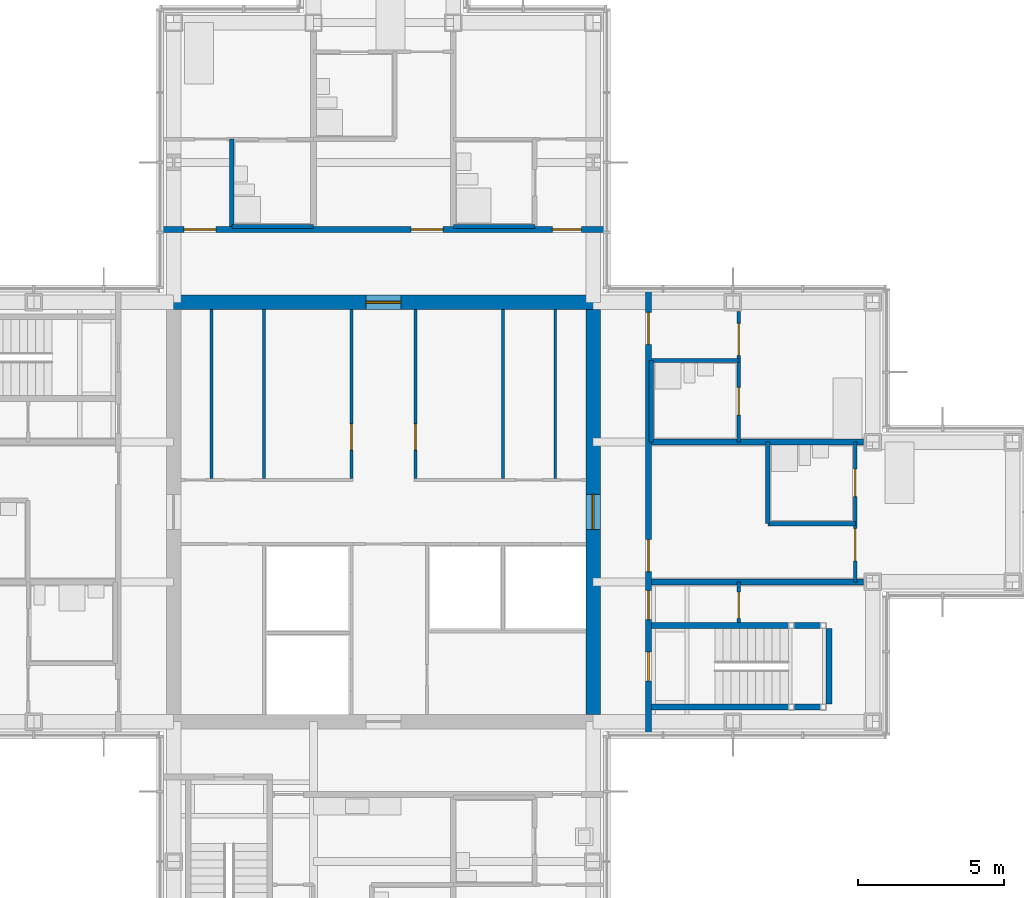
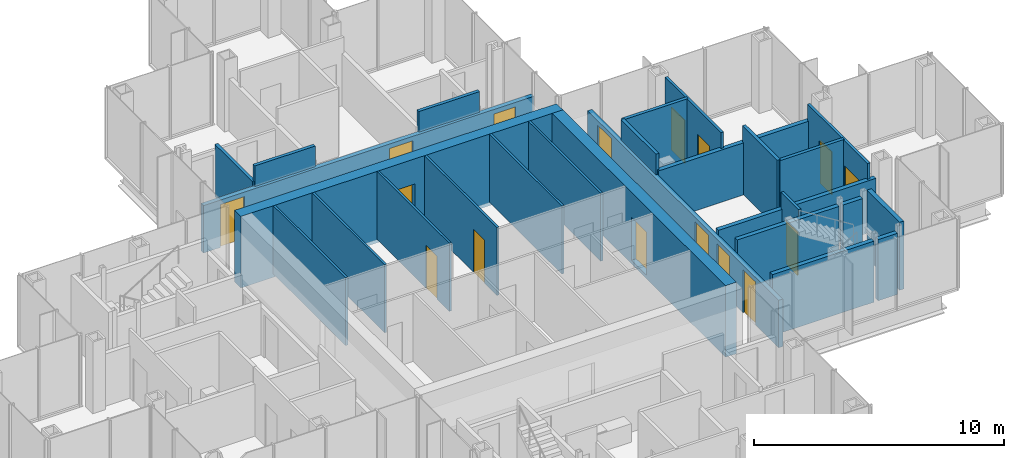
# One storey, part 13 of 17: 27 walls, 16 doors, 16 openings.
"""IFC4 building model written with IfcOpenShell, lengths in metres."""

from ifc_helpers import new_model, si_unit, direction, frame, frame_2d, origin, place, context, subcontext, project, spatial, rectangle, extrude, material, layer, layer_set, type_object, element, fill, save


model = new_model("IFC4")

# Units and contexts
model_context = context("Model", 3, precision=1e-05, world=origin(), true_north=direction((0.0, 1.0)))
body_context = subcontext(model_context, "Body", "Model", "MODEL_VIEW")
ifc_project = project(units=[si_unit("LENGTHUNIT", "METRE"), si_unit("AREAUNIT", "SQUARE_METRE"), si_unit("VOLUMEUNIT", "CUBIC_METRE"), si_unit("PLANEANGLEUNIT", "RADIAN"), si_unit("MASSUNIT", "GRAM", prefix="KILO")], contexts=[model_context])

# Site, building, storey
site_placement = place(None, origin())
site = spatial("IfcSite", under=ifc_project, at=site_placement, CompositionType="ELEMENT")
building_placement = place(site_placement, origin())
building = spatial("IfcBuilding", under=site, at=building_placement, Name="Kvirike Care Tower", CompositionType="ELEMENT")
storey_placement = place(building_placement, frame((0.0, 0.0, 148.0)))
storey = spatial("IfcBuildingStorey", under=building, at=storey_placement, Name="L40", CompositionType="ELEMENT", Elevation=148.0)

# Walls
ifc_material_1 = material(Name="Moisture-resistant board partition", Category="gypsum")
ifc_layer_1 = layer(ifc_material_1, 0.14990234375)
ifc_layer_set_1 = layer_set([ifc_layer_1], Name="BATHROOM WALL 150")
wall_type_1 = type_object("IfcWallType", Name="BATHROOM WALL 150", PredefinedType="PARTITIONING", material=ifc_layer_set_1)
wall_1_placement = place(storey_placement, frame((26.800048828125, 45.800048828125, 0.0), z_axis=(0.0, 0.0, 1.0), x_axis=(-1.0, 0.0, 0.0)))
element("IfcWall", 1, at=wall_1_placement, inside=storey, type_object=wall_type_1, Name="Bathroom Wall 150 L40", PredefinedType="PARTITIONING", context=body_context, shape_type="SweptSolid", body=[
    extrude(rectangle(XDim=2.800048828125, YDim=0.14990234375, at=frame_2d((1.39990234375, 0.0))), origin(), (0.0, 0.0, 1.0), 3.330078125),
])
wall_2_placement = place(storey_placement, frame((16.39990234375, 48.800048828125, 0.0), z_axis=(0.0, 0.0, 1.0), x_axis=(0.0, -1.0, 0.0)))
element("IfcWall", 2, at=wall_2_placement, inside=storey, type_object=wall_type_1, Name="Bathroom Wall 150 L40", PredefinedType="PARTITIONING", context=body_context, shape_type="SweptSolid", body=[
    extrude(rectangle(XDim=3.0, YDim=0.14990234375, at=frame_2d((1.5, 0.0))), origin(), (0.0, 0.0, 1.0), 2.550048828125),
])
wall_3_placement = place(storey_placement, frame((19.199951171875, 45.800048828125, 0.0), z_axis=(0.0, 0.0, 1.0), x_axis=(-1.0, 0.0, 0.0)))
element("IfcWall", 3, at=wall_3_placement, inside=storey, type_object=wall_type_1, Name="Bathroom Wall 150 L40", PredefinedType="PARTITIONING", context=body_context, shape_type="SweptSolid", body=[
    extrude(rectangle(XDim=2.800048828125, YDim=0.14990234375, at=frame_2d((1.39990234375, 0.0))), origin(), (0.0, 0.0, 1.0), 3.330078125),
])
wall_4_placement = place(storey_placement, frame((37.800048828125, 35.60009765625, 0.0), z_axis=(0.0, 0.0, 1.0), x_axis=(-1.0, 0.0, 0.0)))
element("IfcWall", 4, at=wall_4_placement, inside=storey, type_object=wall_type_1, Name="Bathroom Wall 150 L40", PredefinedType="PARTITIONING", context=body_context, shape_type="SweptSolid", body=[
    extrude(rectangle(XDim=3.0, YDim=0.14990234375, at=frame_2d((1.5, 0.0))), origin(), (0.0, 0.0, 1.0), 3.330078125),
])
wall_5_placement = place(storey_placement, frame((34.800048828125, 35.60009765625, 0.0), z_axis=(0.0, 0.0, 1.0), x_axis=(0.0, 1.0, 0.0)))
element("IfcWall", 5, at=wall_5_placement, inside=storey, type_object=wall_type_1, Name="Bathroom Wall 150 L40", PredefinedType="PARTITIONING", context=body_context, shape_type="SweptSolid", body=[
    extrude(rectangle(XDim=2.7998046875, YDim=0.14990234375, at=frame_2d((1.39990234375, 0.0))), origin(), (0.0, 0.0, 1.0), 3.330078125),
])
wall_6_placement = place(storey_placement, frame((33.800048828125, 41.199951171875, 0.0), z_axis=(0.0, 0.0, 1.0), x_axis=(-1.0, 0.0, 0.0)))
element("IfcWall", 6, at=wall_6_placement, inside=storey, type_object=wall_type_1, Name="Bathroom Wall 150 L40", PredefinedType="PARTITIONING", context=body_context, shape_type="SweptSolid", body=[
    extrude(rectangle(XDim=3.0, YDim=0.14990234375, at=frame_2d((1.5, 0.0))), origin(), (0.0, 0.0, 1.0), 3.330078125),
])
wall_7_placement = place(storey_placement, frame((30.800048828125, 38.39990234375, 0.0), z_axis=(0.0, 0.0, 1.0), x_axis=(0.0, 1.0, 0.0)))
element("IfcWall", 7, at=wall_7_placement, inside=storey, type_object=wall_type_1, Name="Bathroom Wall 150 L40", PredefinedType="PARTITIONING", context=body_context, shape_type="SweptSolid", body=[
    extrude(rectangle(XDim=2.800048828125, YDim=0.14990234375, at=frame_2d((1.39990234375, 0.0))), origin(), (0.0, 0.0, 1.0), 3.330078125),
])

# Wall, opening, door
ifc_material_2 = material(Name="Concrete C45/55", Category="concrete")
ifc_layer_2 = layer(ifc_material_2, 0.5)
ifc_layer_set_2 = layer_set([ifc_layer_2], Name="CORE WALL 500 C45-55")
wall_type_2 = type_object("IfcWallType", Name="CORE WALL 500 C45-55", PredefinedType="SHEAR", material=ifc_layer_set_2)
wall_8_placement = place(storey_placement, frame((29.050048828125, 43.199951171875, -0.169921875), z_axis=(0.0, 0.0, 1.0), x_axis=(-1.0, 0.0, 0.0)))
wall_8 = element("IfcWall", 8, at=wall_8_placement, inside=storey, type_object=wall_type_2, Name="Core wall N L40", PredefinedType="SHEAR", context=body_context, shape_type="SweptSolid", body=[
    extrude(rectangle(XDim=14.900146484375, YDim=0.5, at=frame_2d((7.4501953125, 0.0))), origin(), (0.0, 0.0, 1.0), 3.5),
])
opening_1_placement = place(wall_8_placement, frame((6.85009765625, 0.0, 0.169921875)))
opening_1 = element("IfcOpeningElement", 9, at=opening_1_placement, cuts=wall_8, Name="Opening 40-051", PredefinedType="OPENING", context=body_context, shape_type="SweptSolid", body=[
    extrude(rectangle(XDim=1.199951171875, YDim=2.10009765625, at=frame_2d((0.60009765625, 1.050048828125))), frame((0.0, 0.260498046875, 0.0), z_axis=(0.0, -1.0, 0.0), x_axis=(1.0, 0.0, 0.0)), (0.0, 0.0, 1.0), 0.52099609375),
])
ifc_material_3 = material(Name="Timber door set", Category="wood")
door_type_1 = type_object("IfcDoorType", Name="CORE DOOR 1200", OperationType="SINGLE_SWING_LEFT", PredefinedType="DOOR", material=ifc_material_3)
door_1_placement = place(opening_1_placement, origin())
door_1 = element("IfcDoor", 10, at=door_1_placement, inside=storey, type_object=door_type_1, Name="Core door N L40", OperationType="SINGLE_SWING_LEFT", OverallHeight=2.10009765625, OverallWidth=1.199951171875, PredefinedType="DOOR", context=body_context, shape_type="SweptSolid", body=[
    extrude(rectangle(XDim=1.199951171875, YDim=2.10009765625, at=frame_2d((0.60009765625, 1.050048828125))), frame((0.0, 0.02685546875, 0.0), z_axis=(0.0, -1.0, 0.0), x_axis=(1.0, 0.0, 0.0)), (0.0, 0.0, 1.0), 0.053955078125),
])
fill(opening_1, door_1)

wall_9_placement = place(storey_placement, frame((28.800048828125, 29.050048828125, -0.169921875), z_axis=(0.0, 0.0, 1.0), x_axis=(0.0, 1.0, 0.0)))
wall_9 = element("IfcWall", 11, at=wall_9_placement, inside=storey, type_object=wall_type_2, Name="Core wall E L40", PredefinedType="SHEAR", context=body_context, shape_type="SweptSolid", body=[
    extrude(rectangle(XDim=13.89990234375, YDim=0.5, at=frame_2d((6.949951171875, 0.0))), origin(), (0.0, 0.0, 1.0), 3.5),
])
opening_2_placement = place(wall_9_placement, frame((6.35009765625, 0.0, 0.169921875)))
opening_2 = element("IfcOpeningElement", 12, at=opening_2_placement, cuts=wall_9, Name="Opening 40-050", PredefinedType="OPENING", context=body_context, shape_type="SweptSolid", body=[
    extrude(rectangle(XDim=1.199951171875, YDim=2.10009765625, at=frame_2d((0.60009765625, 1.050048828125))), frame((0.0, 0.260498046875, 0.0), z_axis=(0.0, -1.0, 0.0), x_axis=(1.0, 0.0, 0.0)), (0.0, 0.0, 1.0), 0.52099609375),
])
door_2_placement = place(opening_2_placement, origin())
door_2 = element("IfcDoor", 13, at=door_2_placement, inside=storey, type_object=door_type_1, Name="Core door E L40", OperationType="SINGLE_SWING_LEFT", OverallHeight=2.10009765625, OverallWidth=1.199951171875, PredefinedType="DOOR", context=body_context, shape_type="SweptSolid", body=[
    extrude(rectangle(XDim=1.199951171875, YDim=2.10009765625, at=frame_2d((0.60009765625, 1.050048828125))), frame((0.0, 0.02685546875, 0.0), z_axis=(0.0, -1.0, 0.0), x_axis=(1.0, 0.0, 0.0)), (0.0, 0.0, 1.0), 0.053955078125),
])
fill(opening_2, door_2)

# Wall, openings, doors
ifc_material_4 = material(Name="Plasterboard corridor wall", Category="gypsum")
ifc_layer_3 = layer(ifc_material_4, 0.199951171875)
ifc_layer_set_3 = layer_set([ifc_layer_3], Name="CORRIDOR WALL 200")
wall_type_3 = type_object("IfcWallType", Name="CORRIDOR WALL 200", PredefinedType="PARTITIONING", material=ifc_layer_set_3)
wall_10_placement = place(storey_placement, frame((29.25, 45.699951171875, 0.0), z_axis=(0.0, 0.0, 1.0), x_axis=(-1.0, 0.0, 0.0)))
wall_10 = element("IfcWall", 14, at=wall_10_placement, inside=storey, type_object=wall_type_3, Name="Corridor Wall 200 L40", PredefinedType="PARTITIONING", context=body_context, shape_type="SweptSolid", body=[
    extrude(rectangle(XDim=15.300048828125, YDim=0.199951171875, at=frame_2d((7.64990234375, 0.0))), origin(), (0.0, 0.0, 1.0), 2.320068359375),
])
opening_3_placement = place(wall_10_placement, frame((0.85009765625, 0.0, 0.0)))
opening_3 = element("IfcOpeningElement", 15, at=opening_3_placement, cuts=wall_10, Name="Opening 40-023", PredefinedType="OPENING", context=body_context, shape_type="SweptSolid", body=[
    extrude(rectangle(XDim=1.0, YDim=2.10009765625, at=frame_2d((0.5, 1.050048828125))), frame((0.0, 0.110595703125, 0.0), z_axis=(0.0, -1.0, 0.0), x_axis=(1.0, 0.0, 0.0)), (0.0, 0.0, 1.0), 0.220947265625),
])
opening_4_placement = place(wall_10_placement, frame((5.60009765625, 0.0, 0.0)))
opening_4 = element("IfcOpeningElement", 16, at=opening_4_placement, cuts=wall_10, Name="Opening 40-024", PredefinedType="OPENING", context=body_context, shape_type="SweptSolid", body=[
    extrude(rectangle(XDim=1.10009765625, YDim=2.10009765625, at=frame_2d((0.550048828125, 1.050048828125))), frame((0.0, 0.110595703125, 0.0), z_axis=(0.0, -1.0, 0.0), x_axis=(1.0, 0.0, 0.0)), (0.0, 0.0, 1.0), 0.220947265625),
])
opening_5_placement = place(wall_10_placement, frame((13.39990234375, 0.0, 0.0)))
opening_5 = element("IfcOpeningElement", 17, at=opening_5_placement, cuts=wall_10, Name="Opening 40-025", PredefinedType="OPENING", context=body_context, shape_type="SweptSolid", body=[
    extrude(rectangle(XDim=1.10009765625, YDim=2.10009765625, at=frame_2d((0.550048828125, 1.050048828125))), frame((0.0, 0.110595703125, 0.0), z_axis=(0.0, -1.0, 0.0), x_axis=(1.0, 0.0, 0.0)), (0.0, 0.0, 1.0), 0.220947265625),
])
ifc_material_5 = material(Name="Timber door set", Category="wood")
door_type_2 = type_object("IfcDoorType", Name="BEDROOM ENTRANCE DOOR 1100", OperationType="SINGLE_SWING_LEFT", PredefinedType="DOOR", material=ifc_material_5)
door_3_placement = place(opening_4_placement, frame((1.10009765625, 0.0, 0.0), z_axis=(0.0, 0.0, 1.0), x_axis=(-1.0, 0.0, 0.0)))
door_3 = element("IfcDoor", 18, at=door_3_placement, inside=storey, type_object=door_type_2, Name="Memory care bedroom entrance", OperationType="SINGLE_SWING_LEFT", OverallHeight=2.10009765625, OverallWidth=1.10009765625, PredefinedType="DOOR", context=body_context, shape_type="SweptSolid", body=[
    extrude(rectangle(XDim=1.10009765625, YDim=2.10009765625, at=frame_2d((0.550048828125, 1.050048828125))), frame((0.0, 0.02685546875, 0.0), z_axis=(0.0, -1.0, 0.0), x_axis=(1.0, 0.0, 0.0)), (0.0, 0.0, 1.0), 0.053955078125),
])
fill(opening_4, door_3)
door_4_placement = place(opening_5_placement, frame((1.10009765625, 0.0, 0.0), z_axis=(0.0, 0.0, 1.0), x_axis=(-1.0, 0.0, 0.0)))
door_4 = element("IfcDoor", 19, at=door_4_placement, inside=storey, type_object=door_type_2, Name="Memory care bedroom entrance", OperationType="SINGLE_SWING_RIGHT", OverallHeight=2.10009765625, OverallWidth=1.10009765625, PredefinedType="DOOR", context=body_context, shape_type="SweptSolid", body=[
    extrude(rectangle(XDim=1.10009765625, YDim=2.10009765625, at=frame_2d((0.550048828125, 1.050048828125))), frame((0.0, 0.02685546875, 0.0), z_axis=(0.0, -1.0, 0.0), x_axis=(1.0, 0.0, 0.0)), (0.0, 0.0, 1.0), 0.053955078125),
])
fill(opening_5, door_4)
ifc_material_6 = material(Name="Timber door set", Category="wood")
door_type_3 = type_object("IfcDoorType", Name="FLAT ENTRANCE DOOR 1000", OperationType="SINGLE_SWING_LEFT", PredefinedType="DOOR", material=ifc_material_6)
door_5_placement = place(opening_3_placement, frame((1.0, 0.0, 0.0), z_axis=(0.0, 0.0, 1.0), x_axis=(-1.0, 0.0, 0.0)))
door_5 = element("IfcDoor", 20, at=door_5_placement, inside=storey, type_object=door_type_3, Name="Care base entrance", OperationType="SINGLE_SWING_LEFT", OverallHeight=2.10009765625, OverallWidth=1.0, PredefinedType="DOOR", context=body_context, shape_type="SweptSolid", body=[
    extrude(rectangle(XDim=1.0, YDim=2.10009765625, at=frame_2d((0.5, 1.050048828125))), frame((0.0, 0.02685546875, 0.0), z_axis=(0.0, -1.0, 0.0), x_axis=(1.0, 0.0, 0.0)), (0.0, 0.0, 1.0), 0.053955078125),
])
fill(opening_3, door_5)

wall_11_placement = place(storey_placement, frame((30.699951171875, 28.35009765625, 0.0), z_axis=(0.0, 0.0, 1.0), x_axis=(0.0, 1.0, 0.0)))
wall_11 = element("IfcWall", 21, at=wall_11_placement, inside=storey, type_object=wall_type_3, Name="Corridor Wall 200 L40", PredefinedType="PARTITIONING", context=body_context, shape_type="SweptSolid", body=[
    extrude(rectangle(XDim=15.2998046875, YDim=0.199951171875, at=frame_2d((7.64990234375, 0.0))), origin(), (0.0, 0.0, 1.0), 2.320068359375),
])
opening_6_placement = place(wall_11_placement, frame((1.85009765625, 0.0, 0.0)))
opening_6 = element("IfcOpeningElement", 22, at=opening_6_placement, cuts=wall_11, Name="Opening 40-031", PredefinedType="OPENING", context=body_context, shape_type="SweptSolid", body=[
    extrude(rectangle(XDim=1.0, YDim=2.10009765625, at=frame_2d((0.5, 1.050048828125))), frame((0.0, 0.110595703125, 0.0), z_axis=(0.0, -1.0, 0.0), x_axis=(1.0, 0.0, 0.0)), (0.0, 0.0, 1.0), 0.220947265625),
])
opening_7_placement = place(wall_11_placement, frame((3.949951171875, 0.0, 0.0)))
opening_7 = element("IfcOpeningElement", 23, at=opening_7_placement, cuts=wall_11, Name="Opening 40-032", PredefinedType="OPENING", context=body_context, shape_type="SweptSolid", body=[
    extrude(rectangle(XDim=1.0, YDim=2.10009765625, at=frame_2d((0.5, 1.050048828125))), frame((0.0, 0.110595703125, 0.0), z_axis=(0.0, -1.0, 0.0), x_axis=(1.0, 0.0, 0.0)), (0.0, 0.0, 1.0), 0.220947265625),
])
opening_8_placement = place(wall_11_placement, frame((5.60009765625, 0.0, 0.0)))
opening_8 = element("IfcOpeningElement", 24, at=opening_8_placement, cuts=wall_11, Name="Opening 40-033", PredefinedType="OPENING", context=body_context, shape_type="SweptSolid", body=[
    extrude(rectangle(XDim=1.10009765625, YDim=2.10009765625, at=frame_2d((0.550048828125, 1.050048828125))), frame((0.0, 0.110595703125, 0.0), z_axis=(0.0, -1.0, 0.0), x_axis=(1.0, 0.0, 0.0)), (0.0, 0.0, 1.0), 0.220947265625),
])
opening_9_placement = place(wall_11_placement, frame((13.39990234375, 0.0, 0.0)))
opening_9 = element("IfcOpeningElement", 25, at=opening_9_placement, cuts=wall_11, Name="Opening 40-034", PredefinedType="OPENING", context=body_context, shape_type="SweptSolid", body=[
    extrude(rectangle(XDim=1.10009765625, YDim=2.10009765625, at=frame_2d((0.550048828125, 1.050048828125))), frame((0.0, 0.110595703125, 0.0), z_axis=(0.0, -1.0, 0.0), x_axis=(1.0, 0.0, 0.0)), (0.0, 0.0, 1.0), 0.220947265625),
])
door_6_placement = place(opening_8_placement, frame((1.10009765625, 0.0, 0.0), z_axis=(0.0, 0.0, 1.0), x_axis=(-1.0, 0.0, 0.0)))
door_6 = element("IfcDoor", 26, at=door_6_placement, inside=storey, type_object=door_type_2, Name="Memory care bedroom entrance", OperationType="SINGLE_SWING_LEFT", OverallHeight=2.10009765625, OverallWidth=1.10009765625, PredefinedType="DOOR", context=body_context, shape_type="SweptSolid", body=[
    extrude(rectangle(XDim=1.10009765625, YDim=2.10009765625, at=frame_2d((0.550048828125, 1.050048828125))), frame((0.0, 0.02685546875, 0.0), z_axis=(0.0, -1.0, 0.0), x_axis=(1.0, 0.0, 0.0)), (0.0, 0.0, 1.0), 0.053955078125),
])
fill(opening_8, door_6)
door_7_placement = place(opening_9_placement, frame((1.10009765625, 0.0, 0.0), z_axis=(0.0, 0.0, 1.0), x_axis=(-1.0, 0.0, 0.0)))
door_7 = element("IfcDoor", 27, at=door_7_placement, inside=storey, type_object=door_type_2, Name="Memory care bedroom entrance", OperationType="SINGLE_SWING_RIGHT", OverallHeight=2.10009765625, OverallWidth=1.10009765625, PredefinedType="DOOR", context=body_context, shape_type="SweptSolid", body=[
    extrude(rectangle(XDim=1.10009765625, YDim=2.10009765625, at=frame_2d((0.550048828125, 1.050048828125))), frame((0.0, 0.02685546875, 0.0), z_axis=(0.0, -1.0, 0.0), x_axis=(1.0, 0.0, 0.0)), (0.0, 0.0, 1.0), 0.053955078125),
])
fill(opening_9, door_7)
door_8_placement = place(opening_7_placement, frame((1.0, 0.0, 0.0), z_axis=(0.0, 0.0, 1.0), x_axis=(-1.0, 0.0, 0.0)))
door_8 = element("IfcDoor", 28, at=door_8_placement, inside=storey, type_object=door_type_3, Name="Activity room entrance", OperationType="SINGLE_SWING_LEFT", OverallHeight=2.10009765625, OverallWidth=1.0, PredefinedType="DOOR", context=body_context, shape_type="SweptSolid", body=[
    extrude(rectangle(XDim=1.0, YDim=2.10009765625, at=frame_2d((0.5, 1.050048828125))), frame((0.0, 0.02685546875, 0.0), z_axis=(0.0, -1.0, 0.0), x_axis=(1.0, 0.0, 0.0)), (0.0, 0.0, 1.0), 0.053955078125),
])
fill(opening_7, door_8)
ifc_material_7 = material(Name="Timber door set", Category="wood")
door_type_4 = type_object("IfcDoorType", Name="STAIR DOOR 1000", OperationType="SINGLE_SWING_LEFT", PredefinedType="DOOR", material=ifc_material_7)
door_9_placement = place(opening_6_placement, frame((1.0, 0.0, 0.0), z_axis=(0.0, 0.0, 1.0), x_axis=(-1.0, 0.0, 0.0)))
door_9 = element("IfcDoor", 29, at=door_9_placement, inside=storey, type_object=door_type_4, Name="Stair 2 door", OperationType="SINGLE_SWING_RIGHT", OverallHeight=2.10009765625, OverallWidth=1.0, PredefinedType="DOOR", context=body_context, shape_type="SweptSolid", body=[
    extrude(rectangle(XDim=1.0, YDim=2.10009765625, at=frame_2d((0.5, 1.050048828125))), frame((0.0, 0.031982421875, 0.0), z_axis=(0.0, -1.0, 0.0), x_axis=(1.0, 0.0, 0.0)), (0.0, 0.0, 1.0), 0.06396484375),
])
fill(opening_6, door_9)

# Wall, opening, door
ifc_material_8 = material(Name="Plasterboard partition", Category="gypsum")
ifc_layer_4 = layer(ifc_material_8, 0.1201171875)
ifc_layer_set_4 = layer_set([ifc_layer_4], Name="PARTITION 120")
wall_type_4 = type_object("IfcWallType", Name="PARTITION 120", PredefinedType="PARTITIONING", material=ifc_layer_set_4)
wall_12_placement = place(storey_placement, frame((33.800048828125, 32.199951171875, 0.0), z_axis=(0.0, 0.0, 1.0), x_axis=(0.0, 1.0, 0.0)))
wall_12 = element("IfcWall", 30, at=wall_12_placement, inside=storey, type_object=wall_type_4, Name="Partition 120 L40", PredefinedType="PARTITIONING", context=body_context, shape_type="SweptSolid", body=[
    extrude(rectangle(XDim=1.400146484375, YDim=0.1201171875, at=frame_2d((0.7001953125, 0.0))), origin(), (0.0, 0.0, 1.0), 3.330078125),
])
opening_10_placement = place(wall_12_placement, frame((0.14990234375, 0.0, 0.0)))
opening_10 = element("IfcOpeningElement", 31, at=opening_10_placement, cuts=wall_12, Name="Opening 40-026", PredefinedType="OPENING", context=body_context, shape_type="SweptSolid", body=[
    extrude(rectangle(XDim=0.89990234375, YDim=2.10009765625, at=frame_2d((0.449951171875, 1.050048828125))), frame((0.0, 0.070556640625, 0.0), z_axis=(0.0, -1.0, 0.0), x_axis=(1.0, 0.0, 0.0)), (0.0, 0.0, 1.0), 0.14111328125),
])
ifc_material_9 = material(Name="Timber door set", Category="wood")
door_type_5 = type_object("IfcDoorType", Name="INTERNAL DOOR 900", OperationType="SINGLE_SWING_LEFT", PredefinedType="DOOR", material=ifc_material_9)
door_10_placement = place(opening_10_placement, origin())
door_10 = element("IfcDoor", 32, at=door_10_placement, inside=storey, type_object=door_type_5, Name="Activity room door", OperationType="SINGLE_SWING_RIGHT", OverallHeight=2.10009765625, OverallWidth=0.89990234375, PredefinedType="DOOR", context=body_context, shape_type="SweptSolid", body=[
    extrude(rectangle(XDim=0.89990234375, YDim=2.10009765625, at=frame_2d((0.449951171875, 1.050048828125))), frame((0.0, 0.02197265625, 0.0), z_axis=(0.0, -1.0, 0.0), x_axis=(1.0, 0.0, 0.0)), (0.0, 0.0, 1.0), 0.0439453125),
])
fill(opening_10, door_10)

# Wall, openings, doors
wall_13_placement = place(storey_placement, frame((37.800048828125, 33.60009765625, 0.0), z_axis=(0.0, 0.0, 1.0), x_axis=(0.0, 1.0, 0.0)))
wall_13 = element("IfcWall", 33, at=wall_13_placement, inside=storey, type_object=wall_type_4, Name="Partition 120 L40", PredefinedType="PARTITIONING", context=body_context, shape_type="SweptSolid", body=[
    extrude(rectangle(XDim=4.7998046875, YDim=0.1201171875, at=frame_2d((2.39990234375, 0.0))), origin(), (0.0, 0.0, 1.0), 3.330078125),
])
opening_11_placement = place(wall_13_placement, frame((0.72509765625, 0.0, 0.0)))
opening_11 = element("IfcOpeningElement", 34, at=opening_11_placement, cuts=wall_13, Name="Opening 40-027", PredefinedType="OPENING", context=body_context, shape_type="SweptSolid", body=[
    extrude(rectangle(XDim=1.10009765625, YDim=2.10009765625, at=frame_2d((0.550048828125, 1.050048828125))), frame((0.0, 0.070556640625, 0.0), z_axis=(0.0, -1.0, 0.0), x_axis=(1.0, 0.0, 0.0)), (0.0, 0.0, 1.0), 0.14111328125),
])
opening_12_placement = place(wall_13_placement, frame((2.925048828125, 0.0, 0.0)))
opening_12 = element("IfcOpeningElement", 35, at=opening_12_placement, cuts=wall_13, Name="Opening 40-028", PredefinedType="OPENING", context=body_context, shape_type="SweptSolid", body=[
    extrude(rectangle(XDim=0.949951171875, YDim=2.10009765625, at=frame_2d((0.47509765625, 1.050048828125))), frame((0.0, 0.070556640625, 0.0), z_axis=(0.0, -1.0, 0.0), x_axis=(1.0, 0.0, 0.0)), (0.0, 0.0, 1.0), 0.14111328125),
])
ifc_material_10 = material(Name="Timber door set", Category="wood")
door_type_6 = type_object("IfcDoorType", Name="BEDROOM DOOR 1100", OperationType="SINGLE_SWING_LEFT", PredefinedType="DOOR", material=ifc_material_10)
door_11_placement = place(opening_11_placement, origin())
door_11 = element("IfcDoor", 36, at=door_11_placement, inside=storey, type_object=door_type_6, Name="Memory care bedroom door", OperationType="SINGLE_SWING_LEFT", OverallHeight=2.10009765625, OverallWidth=1.10009765625, PredefinedType="DOOR", context=body_context, shape_type="SweptSolid", body=[
    extrude(rectangle(XDim=1.10009765625, YDim=2.10009765625, at=frame_2d((0.550048828125, 1.050048828125))), frame((0.0, 0.02197265625, 0.0), z_axis=(0.0, -1.0, 0.0), x_axis=(1.0, 0.0, 0.0)), (0.0, 0.0, 1.0), 0.0439453125),
])
fill(opening_11, door_11)
ifc_material_11 = material(Name="Timber door set", Category="wood")
door_type_7 = type_object("IfcDoorType", Name="EN-SUITE SLIDING DOOR 950", OperationType="SLIDING_TO_LEFT", PredefinedType="DOOR", material=ifc_material_11)
door_12_placement = place(opening_12_placement, origin())
door_12 = element("IfcDoor", 37, at=door_12_placement, inside=storey, type_object=door_type_7, Name="En-suite door", OperationType="SLIDING_TO_RIGHT", OverallHeight=2.10009765625, OverallWidth=0.949951171875, PredefinedType="DOOR", context=body_context, shape_type="SweptSolid", body=[
    extrude(rectangle(XDim=0.949951171875, YDim=2.10009765625, at=frame_2d((0.47509765625, 1.050048828125))), frame((0.0, 0.02197265625, 0.0), z_axis=(0.0, -1.0, 0.0), x_axis=(1.0, 0.0, 0.0)), (0.0, 0.0, 1.0), 0.0439453125),
])
fill(opening_12, door_12)

wall_14_placement = place(storey_placement, frame((33.800048828125, 38.39990234375, 0.0), z_axis=(0.0, 0.0, 1.0), x_axis=(0.0, 1.0, 0.0)))
wall_14 = element("IfcWall", 38, at=wall_14_placement, inside=storey, type_object=wall_type_4, Name="Partition 120 L40", PredefinedType="PARTITIONING", context=body_context, shape_type="SweptSolid", body=[
    extrude(rectangle(XDim=4.47998046875, YDim=0.1201171875, at=frame_2d((2.239990234375, 0.0))), origin(), (0.0, 0.0, 1.0), 3.330078125),
])
opening_13_placement = place(wall_14_placement, frame((2.97509765625, 0.0, 0.0)))
opening_13 = element("IfcOpeningElement", 39, at=opening_13_placement, cuts=wall_14, Name="Opening 40-029", PredefinedType="OPENING", context=body_context, shape_type="SweptSolid", body=[
    extrude(rectangle(XDim=1.10009765625, YDim=2.10009765625, at=frame_2d((0.550048828125, 1.050048828125))), frame((0.0, 0.070556640625, 0.0), z_axis=(0.0, -1.0, 0.0), x_axis=(1.0, 0.0, 0.0)), (0.0, 0.0, 1.0), 0.14111328125),
])
opening_14_placement = place(wall_14_placement, frame((0.925048828125, 0.0, 0.0)))
opening_14 = element("IfcOpeningElement", 40, at=opening_14_placement, cuts=wall_14, Name="Opening 40-030", PredefinedType="OPENING", context=body_context, shape_type="SweptSolid", body=[
    extrude(rectangle(XDim=0.949951171875, YDim=2.10009765625, at=frame_2d((0.47509765625, 1.050048828125))), frame((0.0, 0.070556640625, 0.0), z_axis=(0.0, -1.0, 0.0), x_axis=(1.0, 0.0, 0.0)), (0.0, 0.0, 1.0), 0.14111328125),
])
door_13_placement = place(opening_13_placement, origin())
door_13 = element("IfcDoor", 41, at=door_13_placement, inside=storey, type_object=door_type_6, Name="Memory care bedroom door", OperationType="SINGLE_SWING_RIGHT", OverallHeight=2.10009765625, OverallWidth=1.10009765625, PredefinedType="DOOR", context=body_context, shape_type="SweptSolid", body=[
    extrude(rectangle(XDim=1.10009765625, YDim=2.10009765625, at=frame_2d((0.550048828125, 1.050048828125))), frame((0.0, 0.02197265625, 0.0), z_axis=(0.0, -1.0, 0.0), x_axis=(1.0, 0.0, 0.0)), (0.0, 0.0, 1.0), 0.0439453125),
])
fill(opening_13, door_13)
door_14_placement = place(opening_14_placement, origin())
door_14 = element("IfcDoor", 42, at=door_14_placement, inside=storey, type_object=door_type_7, Name="En-suite door", OperationType="SLIDING_TO_RIGHT", OverallHeight=2.10009765625, OverallWidth=0.949951171875, PredefinedType="DOOR", context=body_context, shape_type="SweptSolid", body=[
    extrude(rectangle(XDim=0.949951171875, YDim=2.10009765625, at=frame_2d((0.47509765625, 1.050048828125))), frame((0.0, 0.02197265625, 0.0), z_axis=(0.0, -1.0, 0.0), x_axis=(1.0, 0.0, 0.0)), (0.0, 0.0, 1.0), 0.0439453125),
])
fill(opening_14, door_14)

# Walls
ifc_material_12 = material(Name="Plasterboard party wall", Category="gypsum")
ifc_layer_5 = layer(ifc_material_12, 0.199951171875)
ifc_layer_set_5 = layer_set([ifc_layer_5], Name="PARTY WALL 200")
wall_type_5 = type_object("IfcWallType", Name="PARTY WALL 200", PredefinedType="PARTITIONING", material=ifc_layer_set_5)
for number, where, z_axis, x_axis, name in (
    (43, (38.080078125, 33.60009765625, 0.0), (0.0, 0.0, 1.0), (-1.0, 0.0, 0.0), "Party Wall 200 L40"),
    (44, (38.080078125, 38.39990234375, 0.0), (0.0, 0.0, 1.0), (-1.0, 0.0, 0.0), "Party Wall 200 L40"),
):
    element("IfcWall", number, at=place(storey_placement, frame(where, z_axis=z_axis, x_axis=x_axis)), inside=storey, type_object=wall_type_5, Name=name, PredefinedType="PARTITIONING", context=body_context, shape_type="SweptSolid", body=[
        extrude(rectangle(XDim=7.280029296875, YDim=0.199951171875, at=frame_2d((3.64013671875, 0.0))), origin(), (0.0, 0.0, 1.0), 2.550048828125),
    ])
ifc_material_13 = material(Name="Gypsum shaft wall system", Category="gypsum")
ifc_layer_6 = layer(ifc_material_13, 0.10009765625)
ifc_layer_set_6 = layer_set([ifc_layer_6], Name="SHAFT WALL 100")
wall_type_6 = type_object("IfcWallType", Name="SHAFT WALL 100", PredefinedType="SOLIDWALL", material=ifc_layer_set_6)
for number, where, z_axis, x_axis, name in (
    (45, (15.699951171875, 37.14990234375, 0.0), (0.0, 0.0, 1.0), (0.0, 1.0, 0.0), "Shaft Wall 100 L40"),
    (46, (27.5, 37.14990234375, 0.0), (0.0, 0.0, 1.0), (0.0, 1.0, 0.0), "Shaft Wall 100 L40"),
):
    element("IfcWall", number, at=place(storey_placement, frame(where, z_axis=z_axis, x_axis=x_axis)), inside=storey, type_object=wall_type_6, Name=name, PredefinedType="SOLIDWALL", context=body_context, shape_type="SweptSolid", body=[
        extrude(rectangle(XDim=5.800048828125, YDim=0.10009765625, at=frame_2d((2.89990234375, 0.0))), origin(), (0.0, 0.0, 1.0), 3.330078125),
    ])

# Wall, opening, door
wall_15_placement = place(storey_placement, frame((20.5, 37.14990234375, 0.0), z_axis=(0.0, 0.0, 1.0), x_axis=(0.0, 1.0, 0.0)))
wall_15 = element("IfcWall", 47, at=wall_15_placement, inside=storey, type_object=wall_type_6, Name="Shaft Wall 100 L40", PredefinedType="SOLIDWALL", context=body_context, shape_type="SweptSolid", body=[
    extrude(rectangle(XDim=5.800048828125, YDim=0.10009765625, at=frame_2d((2.89990234375, 0.0))), origin(), (0.0, 0.0, 1.0), 3.330078125),
])
opening_15_placement = place(wall_15_placement, frame((0.97509765625, 0.0, 0.0)))
opening_15 = element("IfcOpeningElement", 48, at=opening_15_placement, cuts=wall_15, Name="Opening 40-037", PredefinedType="OPENING", context=body_context, shape_type="SweptSolid", body=[
    extrude(rectangle(XDim=0.89990234375, YDim=2.10009765625, at=frame_2d((0.449951171875, 1.050048828125))), frame((0.0, 0.060546875, 0.0), z_axis=(0.0, -1.0, 0.0), x_axis=(1.0, 0.0, 0.0)), (0.0, 0.0, 1.0), 0.12109375),
])
ifc_material_14 = material(Name="Timber door set", Category="wood")
door_type_8 = type_object("IfcDoorType", Name="STORE DOOR 900", OperationType="SINGLE_SWING_LEFT", PredefinedType="DOOR", material=ifc_material_14)
door_15_placement = place(opening_15_placement, origin())
door_15 = element("IfcDoor", 49, at=door_15_placement, inside=storey, type_object=door_type_8, Name="Staff room door", OperationType="SINGLE_SWING_RIGHT", OverallHeight=2.10009765625, OverallWidth=0.89990234375, PredefinedType="DOOR", context=body_context, shape_type="SweptSolid", body=[
    extrude(rectangle(XDim=0.89990234375, YDim=2.10009765625, at=frame_2d((0.449951171875, 1.050048828125))), frame((0.0, 0.02685546875, 0.0), z_axis=(0.0, -1.0, 0.0), x_axis=(1.0, 0.0, 0.0)), (0.0, 0.0, 1.0), 0.053955078125),
])
fill(opening_15, door_15)

wall_16_placement = place(storey_placement, frame((22.699951171875, 37.14990234375, 0.0), z_axis=(0.0, 0.0, 1.0), x_axis=(0.0, 1.0, 0.0)))
wall_16 = element("IfcWall", 50, at=wall_16_placement, inside=storey, type_object=wall_type_6, Name="Shaft Wall 100 L40", PredefinedType="SOLIDWALL", context=body_context, shape_type="SweptSolid", body=[
    extrude(rectangle(XDim=5.800048828125, YDim=0.10009765625, at=frame_2d((2.89990234375, 0.0))), origin(), (0.0, 0.0, 1.0), 3.330078125),
])
opening_16_placement = place(wall_16_placement, frame((0.97509765625, 0.0, 0.0)))
opening_16 = element("IfcOpeningElement", 51, at=opening_16_placement, cuts=wall_16, Name="Opening 40-038", PredefinedType="OPENING", context=body_context, shape_type="SweptSolid", body=[
    extrude(rectangle(XDim=0.89990234375, YDim=2.10009765625, at=frame_2d((0.449951171875, 1.050048828125))), frame((0.0, 0.060546875, 0.0), z_axis=(0.0, -1.0, 0.0), x_axis=(1.0, 0.0, 0.0)), (0.0, 0.0, 1.0), 0.12109375),
])
door_16_placement = place(opening_16_placement, frame((0.89990234375, 0.0, 0.0), z_axis=(0.0, 0.0, 1.0), x_axis=(-1.0, 0.0, 0.0)))
door_16 = element("IfcDoor", 52, at=door_16_placement, inside=storey, type_object=door_type_8, Name="Records store door", OperationType="SINGLE_SWING_LEFT", OverallHeight=2.10009765625, OverallWidth=0.89990234375, PredefinedType="DOOR", context=body_context, shape_type="SweptSolid", body=[
    extrude(rectangle(XDim=0.89990234375, YDim=2.10009765625, at=frame_2d((0.449951171875, 1.050048828125))), frame((0.0, 0.02685546875, 0.0), z_axis=(0.0, -1.0, 0.0), x_axis=(1.0, 0.0, 0.0)), (0.0, 0.0, 1.0), 0.053955078125),
])
fill(opening_16, door_16)

# Walls
for number, where, z_axis, x_axis, name in (
    (53, (17.5, 37.14990234375, 0.0), (0.0, 0.0, 1.0), (0.0, 1.0, 0.0), "Shaft Wall 100 L40"),
    (54, (25.699951171875, 37.14990234375, 0.0), (0.0, 0.0, 1.0), (0.0, 1.0, 0.0), "Shaft Wall 100 L40"),
):
    element("IfcWall", number, at=place(storey_placement, frame(where, z_axis=z_axis, x_axis=x_axis)), inside=storey, type_object=wall_type_6, Name=name, PredefinedType="SOLIDWALL", context=body_context, shape_type="SweptSolid", body=[
        extrude(rectangle(XDim=5.800048828125, YDim=0.10009765625, at=frame_2d((2.89990234375, 0.0))), origin(), (0.0, 0.0, 1.0), 3.330078125),
    ])
ifc_material_15 = material(Name="Concrete C40/50", Category="concrete")
ifc_layer_7 = layer(ifc_material_15, 0.199951171875)
ifc_layer_set_7 = layer_set([ifc_layer_7], Name="STAIR WALL 200")
wall_type_7 = type_object("IfcWallType", Name="STAIR WALL 200", PredefinedType="SOLIDWALL", material=ifc_layer_set_7)
wall_17_placement = place(storey_placement, frame((36.60009765625, 29.300048828125, 0.0), z_axis=(0.0, 0.0, 1.0), x_axis=(-1.0, 0.0, 0.0)))
element("IfcWall", 55, at=wall_17_placement, inside=storey, type_object=wall_type_7, Name="Stair Wall 200 L40", PredefinedType="SOLIDWALL", context=body_context, shape_type="SweptSolid", body=[
    extrude(rectangle(XDim=0.900146484375, YDim=0.199951171875, at=frame_2d((0.4501953125, 0.0))), origin(), (0.0, 0.0, 1.0), 2.989990234375),
])
wall_18_placement = place(storey_placement, frame((35.5, 29.300048828125, 0.0), z_axis=(0.0, 0.0, 1.0), x_axis=(-1.0, 0.0, 0.0)))
element("IfcWall", 56, at=wall_18_placement, inside=storey, type_object=wall_type_7, Name="Stair Wall 200 L40", PredefinedType="SOLIDWALL", context=body_context, shape_type="SweptSolid", body=[
    extrude(rectangle(XDim=4.699951171875, YDim=0.199951171875, at=frame_2d((2.35009765625, 0.0))), origin(), (0.0, 0.0, 1.0), 2.989990234375),
])
wall_19_placement = place(storey_placement, frame((36.60009765625, 32.10009765625, 0.0), z_axis=(0.0, 0.0, 1.0), x_axis=(-1.0, 0.0, 0.0)))
element("IfcWall", 57, at=wall_19_placement, inside=storey, type_object=wall_type_7, Name="Stair Wall 200 L40", PredefinedType="SOLIDWALL", context=body_context, shape_type="SweptSolid", body=[
    extrude(rectangle(XDim=0.900146484375, YDim=0.199951171875, at=frame_2d((0.4501953125, 0.0))), origin(), (0.0, 0.0, 1.0), 2.989990234375),
])
wall_20_placement = place(storey_placement, frame((35.5, 32.10009765625, 0.0), z_axis=(0.0, 0.0, 1.0), x_axis=(-1.0, 0.0, 0.0)))
element("IfcWall", 58, at=wall_20_placement, inside=storey, type_object=wall_type_7, Name="Stair Wall 200 L40", PredefinedType="SOLIDWALL", context=body_context, shape_type="SweptSolid", body=[
    extrude(rectangle(XDim=4.699951171875, YDim=0.199951171875, at=frame_2d((2.35009765625, 0.0))), origin(), (0.0, 0.0, 1.0), 2.989990234375),
])
wall_21_placement = place(storey_placement, frame((36.89990234375, 29.39990234375, 0.0), z_axis=(0.0, 0.0, 1.0), x_axis=(0.0, 1.0, 0.0)))
element("IfcWall", 59, at=wall_21_placement, inside=storey, type_object=wall_type_7, Name="Stair Wall 200 L40", PredefinedType="SOLIDWALL", context=body_context, shape_type="SweptSolid", body=[
    extrude(rectangle(XDim=2.60009765625, YDim=0.199951171875, at=frame_2d((1.300048828125, 0.0))), origin(), (0.0, 0.0, 1.0), 3.330078125),
])

save(model, "model.ifc")
